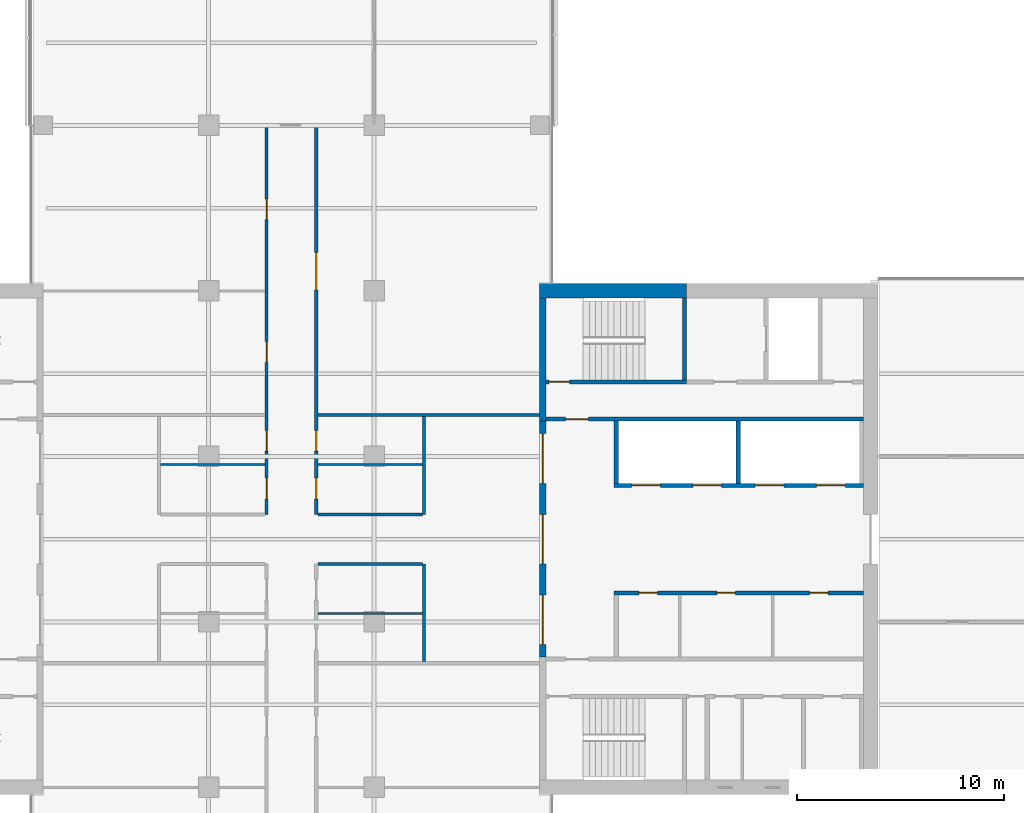
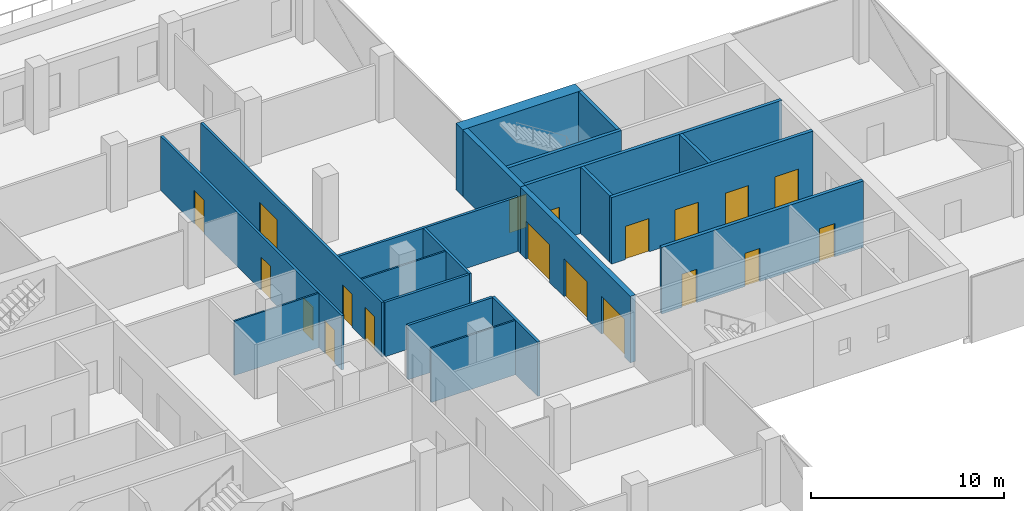
# One storey, part 18 of 24: 20 walls, 19 doors, 19 openings.
"""IFC4 building model written with IfcOpenShell, lengths in metres."""

import ifcopenshell
import ifcopenshell.guid

model = None  # the IFC model being written
_history = None  # IfcOwnerHistory: only IFC2X3 demands one
_inside = {}  # id of a spatial element -> (the spatial element, [elements in it])
_under = {}  # id of a project, library or spatial element -> (it, [spatial elements below it])
_declared = {}  # id of a project -> (the project, [libraries it declares])
_typed = {}  # id of a type object -> (the type object, [elements of that type])
_made_of = {}  # id of a material, layer set ... -> (it, [elements and type objects made of it])


def new_model(schema):
    """Start an empty IFC model of exactly this schema.

    Asked for "IFC4X3", IfcOpenShell would pick the latest addendum, in which some entities
    have other attributes; the version numbers below select the first issue.
    IFC2X3 requires an IfcOwnerHistory on every rooted entity: one is made here for all.
    """
    global model, _history
    if schema == "IFC4X3":
        model = ifcopenshell.file(schema_version=(4, 3, 0, 0))
    else:
        model = ifcopenshell.file(schema=schema)
    _inside.clear()
    _under.clear()
    _declared.clear()
    _typed.clear()
    _made_of.clear()
    _history = None
    if model.schema == "IFC2X3":
        org = make("IfcOrganization", Name="unknown")
        user = make(
            "IfcPersonAndOrganization",
            ThePerson=make("IfcPerson", FamilyName="unknown"),
            TheOrganization=org,
        )
        app = make(
            "IfcApplication",
            ApplicationDeveloper=org,
            Version="unknown",
            ApplicationFullName="unknown",
            ApplicationIdentifier="unknown",
        )
        _history = make(
            "IfcOwnerHistory",
            OwningUser=user,
            OwningApplication=app,
            ChangeAction="ADDED",
            CreationDate=0,
        )
    return model


def make(cls, **values):
    """One entity of the class cls with the attributes given. An attribute that is None is left unset."""
    return model.create_entity(
        cls, **{name: value for name, value in values.items() if value is not None}
    )


def rooted(cls, **values):
    """An entity with a GlobalId (a new one), such as an element, a storey or a relation."""
    return make(cls, GlobalId=ifcopenshell.guid.new(), OwnerHistory=_history, **values)


def si_unit(unit_type, name, prefix=None):
    """IfcSIUnit, for example si_unit("LENGTHUNIT", "METRE", prefix="MILLI")."""
    return make("IfcSIUnit", UnitType=unit_type, Prefix=prefix, Name=name)


def assignment(units):
    """IfcUnitAssignment: the units of a project."""
    return None if units is None else make("IfcUnitAssignment", Units=units)


def point(xyz):
    """IfcCartesianPoint."""
    return None if xyz is None else make("IfcCartesianPoint", Coordinates=xyz)


def direction(xyz):
    """IfcDirection."""
    return None if xyz is None else make("IfcDirection", DirectionRatios=xyz)


def frame(location, z_axis=None, x_axis=None):
    """IfcAxis2Placement3D, a coordinate frame: its origin and axes. An axis left out is left unset."""
    return make(
        "IfcAxis2Placement3D",
        Location=point(location),
        Axis=direction(z_axis),
        RefDirection=direction(x_axis),
    )


def frame_2d(location, x_axis=None):
    """IfcAxis2Placement2D, a coordinate frame in the plane: its origin and x axis."""
    return make(
        "IfcAxis2Placement2D", Location=point(location), RefDirection=direction(x_axis)
    )


def origin():
    """The frame at (0, 0, 0) with its axes left unset."""
    return frame((0.0, 0.0, 0.0))


def place(relative_to, where):
    """IfcLocalPlacement: puts the frame where relative to a parent placement (None: the world)."""
    return make(
        "IfcLocalPlacement", PlacementRelTo=relative_to, RelativePlacement=where
    )


def context(
    kind, dimensions, precision=None, world=None, true_north=None, identifier=None
):
    """IfcGeometricRepresentationContext, for example the 3D "Model" context."""
    return make(
        "IfcGeometricRepresentationContext",
        ContextIdentifier=identifier,
        ContextType=kind,
        CoordinateSpaceDimension=dimensions,
        Precision=precision,
        WorldCoordinateSystem=world,
        TrueNorth=true_north,
    )


def subcontext(parent, identifier, kind, view, scale=None):
    """IfcGeometricRepresentationSubContext, for example "Body" below "Model"."""
    return make(
        "IfcGeometricRepresentationSubContext",
        ContextIdentifier=identifier,
        ContextType=kind,
        ParentContext=parent,
        TargetScale=scale,
        TargetView=view,
    )


def project(units=None, contexts=None):
    """IfcProject with its units and contexts."""
    return rooted(
        "IfcProject",
        Name="project",
        RepresentationContexts=contexts,
        UnitsInContext=assignment(units),
    )


def spatial(cls, under=None, at=None, **own):
    """A site, building, storey or space (cls), placed at a placement, below another one or the project."""
    s = rooted(cls, ObjectPlacement=at, **own)
    if under is not None:
        _under.setdefault(under.id(), (under, []))[1].append(s)
    return s


def profile(cls, at=None, kind="AREA", **sizes):
    """A parametric profile (cls). Its sizes go by their IFC names, for example OverallWidth=200.0."""
    return make(cls, ProfileType=kind, Position=at, **sizes)


def rectangle(**sizes):
    """IfcRectangleProfileDef."""
    return profile("IfcRectangleProfileDef", **sizes)


def extrude(swept, where, along, depth):
    """IfcExtrudedAreaSolid: the profile swept, set in the frame where, extruded along a direction by depth."""
    return make(
        "IfcExtrudedAreaSolid",
        SweptArea=swept,
        Position=where,
        ExtrudedDirection=direction(along),
        Depth=depth,
    )


def shape(context_of_items, identifier, shape_type, items):
    """IfcShapeRepresentation: the items that make up one representation, for example the "Body"."""
    return make(
        "IfcShapeRepresentation",
        ContextOfItems=context_of_items,
        RepresentationIdentifier=identifier,
        RepresentationType=shape_type,
        Items=items,
    )


def material(Name=None, Category=None):
    """IfcMaterial."""
    return make("IfcMaterial", Name=Name, Category=Category)


def layer(
    of_material, thickness, ventilated=None, Name=None, Category=None, Priority=None
):
    """IfcMaterialLayer: one layer of a wall or slab, of a material (None: an air gap)."""
    return make(
        "IfcMaterialLayer",
        Material=of_material,
        LayerThickness=thickness,
        IsVentilated=ventilated,
        Name=Name,
        Category=Category,
        Priority=Priority,
    )


def layer_set(layers, Name=None):
    """IfcMaterialLayerSet."""
    return make("IfcMaterialLayerSet", MaterialLayers=layers, LayerSetName=Name)


def constituent(of_material, Name=None, Category=None, fraction=None):
    """IfcMaterialConstituent: one of the materials an element consists of."""
    return make(
        "IfcMaterialConstituent",
        Name=Name,
        Material=of_material,
        Fraction=fraction,
        Category=Category,
    )


def constituent_set(constituents=None, Name=None):
    """IfcMaterialConstituentSet."""
    return make(
        "IfcMaterialConstituentSet", Name=Name, MaterialConstituents=constituents
    )


def made_of(thing, what):
    """Note that an element or type object is made of a material, layer set ...; save() writes the relation."""
    if what is not None:
        _made_of.setdefault(what.id(), (what, []))[1].append(thing)
    return thing


def type_object(cls, material=None, **own):
    """A type object (cls), such as IfcWallType, which elements share."""
    return made_of(rooted(cls, **own), material)


def element(
    cls,
    number,
    at=None,
    inside=None,
    cuts=None,
    type_object=None,
    material=None,
    context=None,
    identifier="Body",
    shape_type=None,
    held_by="IfcProductDefinitionShape",
    body=None,
    shapes=None,
    **own,
):
    """One element of the class cls, such as IfcWall. Its Tag is "e" and its number.

    at: its placement. inside: the storey or other place that contains it. cuts: it is an
    opening in that element (IfcRelVoidsElement). A single representation is given by context,
    identifier, shape_type and body (its items); several are given by shapes. held_by: the class
    of the entity that holds the representations. save() writes the other relations.
    """
    e = rooted(cls, Tag="e%d" % number, ObjectPlacement=at, **own)
    if body is not None:
        shapes = [shape(context, identifier, shape_type, body)]
    if shapes is not None:
        e.Representation = make(held_by, Representations=shapes)
    if inside is not None:
        _inside.setdefault(inside.id(), (inside, []))[1].append(e)
    if cuts is not None:
        rooted(
            "IfcRelVoidsElement", RelatingBuildingElement=cuts, RelatedOpeningElement=e
        )
    if type_object is not None:
        _typed.setdefault(type_object.id(), (type_object, []))[1].append(e)
    return made_of(e, material)


def fill(opening, filler):
    """IfcRelFillsElement: the door or window that sits in an opening."""
    return rooted(
        "IfcRelFillsElement",
        RelatingOpeningElement=opening,
        RelatedBuildingElement=filler,
    )


def aggregate(whole, parts):
    """IfcRelAggregates: a whole, such as a stair, and the parts it consists of."""
    return rooted("IfcRelAggregates", RelatingObject=whole, RelatedObjects=parts)


def save(model, path):
    """Write the relations noted so far, then the file.

    IfcRelAggregates (storeys below a building ...), IfcRelContainedInSpatialStructure (elements
    in a storey), IfcRelDefinesByType, IfcRelAssociatesMaterial and IfcRelDeclares: one each for
    every whole, place, type object, material and project.
    """
    for whole, parts in _under.values():
        aggregate(whole, parts)
    for where, things in _inside.values():
        rooted(
            "IfcRelContainedInSpatialStructure",
            RelatedElements=things,
            RelatingStructure=where,
        )
    for kind, things in _typed.values():
        rooted("IfcRelDefinesByType", RelatedObjects=things, RelatingType=kind)
    for what, things in _made_of.values():
        rooted("IfcRelAssociatesMaterial", RelatedObjects=things, RelatingMaterial=what)
    for by, libraries in _declared.values():
        rooted("IfcRelDeclares", RelatingContext=by, RelatedDefinitions=libraries)
    model.write(path)


model = new_model("IFC4")

# Units and contexts
model_context = context("Model", 3, precision=1e-05, world=origin(), true_north=direction((0.0, 1.0)))
body_context = subcontext(model_context, "Body", "Model", "MODEL_VIEW")
ifc_project = project(units=[si_unit("LENGTHUNIT", "METRE"), si_unit("AREAUNIT", "SQUARE_METRE"), si_unit("VOLUMEUNIT", "CUBIC_METRE"), si_unit("PLANEANGLEUNIT", "RADIAN"), si_unit("MASSUNIT", "GRAM", prefix="KILO")], contexts=[model_context])

# Site, building, storey
site_placement = place(None, origin())
site = spatial("IfcSite", under=ifc_project, at=site_placement, CompositionType="ELEMENT")
building_placement = place(site_placement, origin())
building = spatial("IfcBuilding", under=site, at=building_placement, Name="Crosswind Convention Tower", CompositionType="ELEMENT")
storey_placement = place(building_placement, frame((0.0, 0.0, 112.699951171875)))
storey = spatial("IfcBuildingStorey", under=building, at=storey_placement, Name="L22", CompositionType="ELEMENT", Elevation=112.699951171875)

# Wall, openings, doors
ifc_material_1 = material(Name="Concrete C50/60", Category="concrete")
ifc_layer_1 = layer(ifc_material_1, 0.300048828125)
ifc_layer_set_1 = layer_set([ifc_layer_1], Name="Concrete C50/60")
wall_type_1 = type_object("IfcWallType", Name="Concrete inner core wall 300", PredefinedType="SHEAR", material=ifc_layer_set_1)
wall_1_placement = place(storey_placement, frame((137.14990234375, 94.300048828125, 0.0), z_axis=(0.0, 0.0, 1.0), x_axis=(0.0, 1.0, 0.0)))
wall_1 = element("IfcWall", 1, at=wall_1_placement, inside=storey, type_object=wall_type_1, Name="Wall SCR E L22", PredefinedType="SHEAR", context=body_context, shape_type="SweptSolid", body=[
    extrude(rectangle(XDim=11.39990234375, YDim=0.300048828125, at=frame_2d((5.699951171875, 0.0))), origin(), (0.0, 0.0, 1.0), 4.199951171875),
])
opening_1_placement = place(wall_1_placement, frame((0.60009765625, 0.0, 0.0)))
opening_1 = element("IfcOpeningElement", 2, at=opening_1_placement, cuts=wall_1, Name="Opening D100", PredefinedType="OPENING", context=body_context, shape_type="SweptSolid", body=[
    extrude(rectangle(XDim=2.39990234375, YDim=2.39990234375, at=frame_2d((1.199951171875, 1.199951171875))), frame((0.0, 0.159912109375, 0.0), z_axis=(0.0, -1.0, 0.0), x_axis=(1.0, 0.0, 0.0)), (0.0, 0.0, 1.0), 0.320068359375),
])
opening_2_placement = place(wall_1_placement, frame((4.5, 0.0, 0.0)))
opening_2 = element("IfcOpeningElement", 3, at=opening_2_placement, cuts=wall_1, Name="Opening D100", PredefinedType="OPENING", context=body_context, shape_type="SweptSolid", body=[
    extrude(rectangle(XDim=2.39990234375, YDim=2.39990234375, at=frame_2d((1.199951171875, 1.199951171875))), frame((0.0, 0.159912109375, 0.0), z_axis=(0.0, -1.0, 0.0), x_axis=(1.0, 0.0, 0.0)), (0.0, 0.0, 1.0), 0.320068359375),
])
opening_3_placement = place(wall_1_placement, frame((8.39990234375, 0.0, 0.0)))
opening_3 = element("IfcOpeningElement", 4, at=opening_3_placement, cuts=wall_1, Name="Opening D100", PredefinedType="OPENING", context=body_context, shape_type="SweptSolid", body=[
    extrude(rectangle(XDim=2.39990234375, YDim=2.39990234375, at=frame_2d((1.199951171875, 1.199951171875))), frame((0.0, 0.159912109375, 0.0), z_axis=(0.0, -1.0, 0.0), x_axis=(1.0, 0.0, 0.0)), (0.0, 0.0, 1.0), 0.320068359375),
])
ifc_material_2 = material(Name="Steel fire door with glazed vision panels", Category="steel")
door_type_1 = type_object("IfcDoorType", Name="Fire-rated double door 2400x2400", OperationType="DOUBLE_DOOR_SINGLE_SWING", PredefinedType="DOOR", material=ifc_material_2)
door_1_placement = place(opening_1_placement, origin())
door_1 = element("IfcDoor", 5, at=door_1_placement, inside=storey, type_object=door_type_1, Name="Lobby door 1 L22", ObjectType="D100", OperationType="DOUBLE_DOOR_SINGLE_SWING", OverallHeight=2.39990234375, OverallWidth=2.39990234375, PredefinedType="DOOR", context=body_context, shape_type="SweptSolid", body=[
    extrude(rectangle(XDim=2.39990234375, YDim=2.39990234375, at=frame_2d((1.199951171875, 1.199951171875))), frame((0.0, 0.02490234375, 0.0), z_axis=(0.0, -1.0, 0.0), x_axis=(1.0, 0.0, 0.0)), (0.0, 0.0, 1.0), 0.050048828125),
])
fill(opening_1, door_1)
door_2_placement = place(opening_2_placement, origin())
door_2 = element("IfcDoor", 6, at=door_2_placement, inside=storey, type_object=door_type_1, Name="Lobby door 2 L22", ObjectType="D100", OperationType="DOUBLE_DOOR_SINGLE_SWING", OverallHeight=2.39990234375, OverallWidth=2.39990234375, PredefinedType="DOOR", context=body_context, shape_type="SweptSolid", body=[
    extrude(rectangle(XDim=2.39990234375, YDim=2.39990234375, at=frame_2d((1.199951171875, 1.199951171875))), frame((0.0, 0.02490234375, 0.0), z_axis=(0.0, -1.0, 0.0), x_axis=(1.0, 0.0, 0.0)), (0.0, 0.0, 1.0), 0.050048828125),
])
fill(opening_2, door_2)
door_3_placement = place(opening_3_placement, origin())
door_3 = element("IfcDoor", 7, at=door_3_placement, inside=storey, type_object=door_type_1, Name="Lobby door 3 L22", ObjectType="D100", OperationType="DOUBLE_DOOR_SINGLE_SWING", OverallHeight=2.39990234375, OverallWidth=2.39990234375, PredefinedType="DOOR", context=body_context, shape_type="SweptSolid", body=[
    extrude(rectangle(XDim=2.39990234375, YDim=2.39990234375, at=frame_2d((1.199951171875, 1.199951171875))), frame((0.0, 0.02490234375, 0.0), z_axis=(0.0, -1.0, 0.0), x_axis=(1.0, 0.0, 0.0)), (0.0, 0.0, 1.0), 0.050048828125),
])
fill(opening_3, door_3)

# Walls
wall_2_placement = place(storey_placement, frame((137.14990234375, 105.699951171875, 0.0), z_axis=(0.0, 0.0, 1.0), x_axis=(0.0, 1.0, 0.0)))
element("IfcWall", 8, at=wall_2_placement, inside=storey, type_object=wall_type_1, Name="Wall EP E L22", PredefinedType="SHEAR", context=body_context, shape_type="SweptSolid", body=[
    extrude(rectangle(XDim=5.949951171875, YDim=0.300048828125, at=frame_2d((2.97509765625, 0.0))), origin(), (0.0, 0.0, 1.0), 4.199951171875),
])
ifc_layer_2 = layer(ifc_material_1, 0.199951171875)
ifc_layer_set_2 = layer_set([ifc_layer_2], Name="Concrete C50/60")
wall_type_2 = type_object("IfcWallType", Name="Concrete shaft and stair wall 200", PredefinedType="SHEAR", material=ifc_layer_set_2)
for number, where, z_axis, x_axis, name in (
    (9, (140.699951171875, 102.699951171875, 0.0), (0.0, 0.0, 1.0), (0.0, 1.0, 0.0), "Wall RPEND E L22"),
    (10, (146.60009765625, 102.699951171875, 0.0), (0.0, 0.0, 1.0), (0.0, 1.0, 0.0), "Wall RPSEP E L22"),
):
    element("IfcWall", number, at=place(storey_placement, frame(where, z_axis=z_axis, x_axis=x_axis)), inside=storey, type_object=wall_type_2, Name=name, PredefinedType="SHEAR", context=body_context, shape_type="SweptSolid", body=[
        extrude(rectangle(XDim=3.0, YDim=0.199951171875, at=frame_2d((1.5, 0.0))), origin(), (0.0, 0.0, 1.0), 4.199951171875),
    ])

# Wall, openings, doors
wall_3_placement = place(storey_placement, frame((140.60009765625, 102.60009765625, 0.0), z_axis=(0.0, 0.0, 1.0), x_axis=(1.0, 0.0, 0.0)))
wall_3 = element("IfcWall", 11, at=wall_3_placement, inside=storey, type_object=wall_type_2, Name="Wall RPFRONT E L22", PredefinedType="SHEAR", context=body_context, shape_type="SweptSolid", body=[
    extrude(rectangle(XDim=12.0498046875, YDim=0.199951171875, at=frame_2d((6.02490234375, 0.0))), origin(), (0.0, 0.0, 1.0), 4.199951171875),
])
opening_4_placement = place(wall_3_placement, frame((0.85009765625, 0.0, 0.0)))
opening_4 = element("IfcOpeningElement", 12, at=opening_4_placement, cuts=wall_3, Name="Opening LD2", PredefinedType="OPENING", context=body_context, shape_type="SweptSolid", body=[
    extrude(rectangle(XDim=1.39990234375, YDim=2.10009765625, at=frame_2d((0.699951171875, 1.050048828125))), frame((0.0, 0.10986328125, 0.0), z_axis=(0.0, -1.0, 0.0), x_axis=(1.0, 0.0, 0.0)), (0.0, 0.0, 1.0), 0.219970703125),
])
opening_5_placement = place(wall_3_placement, frame((3.800048828125, 0.0, 0.0)))
opening_5 = element("IfcOpeningElement", 13, at=opening_5_placement, cuts=wall_3, Name="Opening LD2", PredefinedType="OPENING", context=body_context, shape_type="SweptSolid", body=[
    extrude(rectangle(XDim=1.39990234375, YDim=2.10009765625, at=frame_2d((0.699951171875, 1.050048828125))), frame((0.0, 0.10986328125, 0.0), z_axis=(0.0, -1.0, 0.0), x_axis=(1.0, 0.0, 0.0)), (0.0, 0.0, 1.0), 0.219970703125),
])
opening_6_placement = place(wall_3_placement, frame((6.800048828125, 0.0, 0.0)))
opening_6 = element("IfcOpeningElement", 14, at=opening_6_placement, cuts=wall_3, Name="Opening LD2", PredefinedType="OPENING", context=body_context, shape_type="SweptSolid", body=[
    extrude(rectangle(XDim=1.39990234375, YDim=2.10009765625, at=frame_2d((0.699951171875, 1.050048828125))), frame((0.0, 0.10986328125, 0.0), z_axis=(0.0, -1.0, 0.0), x_axis=(1.0, 0.0, 0.0)), (0.0, 0.0, 1.0), 0.219970703125),
])
opening_7_placement = place(wall_3_placement, frame((9.77490234375, 0.0, 0.0)))
opening_7 = element("IfcOpeningElement", 15, at=opening_7_placement, cuts=wall_3, Name="Opening LD2", PredefinedType="OPENING", context=body_context, shape_type="SweptSolid", body=[
    extrude(rectangle(XDim=1.39990234375, YDim=2.10009765625, at=frame_2d((0.699951171875, 1.050048828125))), frame((0.0, 0.10986328125, 0.0), z_axis=(0.0, -1.0, 0.0), x_axis=(1.0, 0.0, 0.0)), (0.0, 0.0, 1.0), 0.219970703125),
])
ifc_material_3 = material(Name="Stainless steel", Category="steel")
door_type_2 = type_object("IfcDoorType", Name="Lift landing door 1400x2100", OperationType="DOUBLE_DOOR_SLIDING", PredefinedType="DOOR", material=ifc_material_3)
door_4_placement = place(opening_4_placement, origin())
door_4 = element("IfcDoor", 16, at=door_4_placement, inside=storey, type_object=door_type_2, Name="Landing door A1 L22", ObjectType="LD2", OperationType="DOUBLE_DOOR_SLIDING", OverallHeight=2.10009765625, OverallWidth=1.39990234375, PredefinedType="DOOR", context=body_context, shape_type="SweptSolid", body=[
    extrude(rectangle(XDim=1.39990234375, YDim=2.10009765625, at=frame_2d((0.699951171875, 1.050048828125))), frame((0.0, 0.02490234375, 0.0), z_axis=(0.0, -1.0, 0.0), x_axis=(1.0, 0.0, 0.0)), (0.0, 0.0, 1.0), 0.050048828125),
])
fill(opening_4, door_4)
door_5_placement = place(opening_5_placement, origin())
door_5 = element("IfcDoor", 17, at=door_5_placement, inside=storey, type_object=door_type_2, Name="Landing door A2 L22", ObjectType="LD2", OperationType="DOUBLE_DOOR_SLIDING", OverallHeight=2.10009765625, OverallWidth=1.39990234375, PredefinedType="DOOR", context=body_context, shape_type="SweptSolid", body=[
    extrude(rectangle(XDim=1.39990234375, YDim=2.10009765625, at=frame_2d((0.699951171875, 1.050048828125))), frame((0.0, 0.02490234375, 0.0), z_axis=(0.0, -1.0, 0.0), x_axis=(1.0, 0.0, 0.0)), (0.0, 0.0, 1.0), 0.050048828125),
])
fill(opening_5, door_5)
door_6_placement = place(opening_6_placement, origin())
door_6 = element("IfcDoor", 18, at=door_6_placement, inside=storey, type_object=door_type_2, Name="Landing door A3 L22", ObjectType="LD2", OperationType="DOUBLE_DOOR_SLIDING", OverallHeight=2.10009765625, OverallWidth=1.39990234375, PredefinedType="DOOR", context=body_context, shape_type="SweptSolid", body=[
    extrude(rectangle(XDim=1.39990234375, YDim=2.10009765625, at=frame_2d((0.699951171875, 1.050048828125))), frame((0.0, 0.02490234375, 0.0), z_axis=(0.0, -1.0, 0.0), x_axis=(1.0, 0.0, 0.0)), (0.0, 0.0, 1.0), 0.050048828125),
])
fill(opening_6, door_6)
door_7_placement = place(opening_7_placement, origin())
door_7 = element("IfcDoor", 19, at=door_7_placement, inside=storey, type_object=door_type_2, Name="Landing door A4 L22", ObjectType="LD2", OperationType="DOUBLE_DOOR_SLIDING", OverallHeight=2.10009765625, OverallWidth=1.39990234375, PredefinedType="DOOR", context=body_context, shape_type="SweptSolid", body=[
    extrude(rectangle(XDim=1.39990234375, YDim=2.10009765625, at=frame_2d((0.699951171875, 1.050048828125))), frame((0.0, 0.02490234375, 0.0), z_axis=(0.0, -1.0, 0.0), x_axis=(1.0, 0.0, 0.0)), (0.0, 0.0, 1.0), 0.050048828125),
])
fill(opening_7, door_7)

wall_4_placement = place(storey_placement, frame((140.60009765625, 97.39990234375, 0.0), z_axis=(0.0, 0.0, 1.0), x_axis=(1.0, 0.0, 0.0)))
wall_4 = element("IfcWall", 20, at=wall_4_placement, inside=storey, type_object=wall_type_2, Name="Wall RMFRONT E L22", PredefinedType="SHEAR", context=body_context, shape_type="SweptSolid", body=[
    extrude(rectangle(XDim=12.0498046875, YDim=0.199951171875, at=frame_2d((6.02490234375, 0.0))), origin(), (0.0, 0.0, 1.0), 4.199951171875),
])
opening_8_placement = place(wall_4_placement, frame((1.199951171875, 0.0, 0.0)))
opening_8 = element("IfcOpeningElement", 21, at=opening_8_placement, cuts=wall_4, Name="Opening D106", PredefinedType="OPENING", context=body_context, shape_type="SweptSolid", body=[
    extrude(rectangle(XDim=0.89990234375, YDim=2.10009765625, at=frame_2d((0.449951171875, 1.050048828125))), frame((0.0, 0.10986328125, 0.0), z_axis=(0.0, -1.0, 0.0), x_axis=(1.0, 0.0, 0.0)), (0.0, 0.0, 1.0), 0.219970703125),
])
opening_9_placement = place(wall_4_placement, frame((4.964111328125, 0.0, 0.0)))
opening_9 = element("IfcOpeningElement", 22, at=opening_9_placement, cuts=wall_4, Name="Opening D106", PredefinedType="OPENING", context=body_context, shape_type="SweptSolid", body=[
    extrude(rectangle(XDim=0.89990234375, YDim=2.10009765625, at=frame_2d((0.449951171875, 1.050048828125))), frame((0.0, 0.10986328125, 0.0), z_axis=(0.0, -1.0, 0.0), x_axis=(1.0, 0.0, 0.0)), (0.0, 0.0, 1.0), 0.219970703125),
])
opening_10_placement = place(wall_4_placement, frame((9.43896484375, 0.0, 0.0)))
opening_10 = element("IfcOpeningElement", 23, at=opening_10_placement, cuts=wall_4, Name="Opening D106", PredefinedType="OPENING", context=body_context, shape_type="SweptSolid", body=[
    extrude(rectangle(XDim=0.89990234375, YDim=2.10009765625, at=frame_2d((0.449951171875, 1.050048828125))), frame((0.0, 0.10986328125, 0.0), z_axis=(0.0, -1.0, 0.0), x_axis=(1.0, 0.0, 0.0)), (0.0, 0.0, 1.0), 0.219970703125),
])
ifc_material_4 = material(Name="Timber door", Category="wood")
door_type_3 = type_object("IfcDoorType", Name="Single leaf door 900x2100", OperationType="NOTDEFINED", PredefinedType="DOOR", material=ifc_material_4)
door_8_placement = place(opening_8_placement, frame((0.89990234375, 0.0, 0.0), z_axis=(0.0, 0.0, 1.0), x_axis=(-1.0, 0.0, 0.0)))
door_8 = element("IfcDoor", 24, at=door_8_placement, inside=storey, type_object=door_type_3, Name="Door to copy and print room L22", ObjectType="D106", OperationType="SINGLE_SWING_LEFT", OverallHeight=2.10009765625, OverallWidth=0.89990234375, PredefinedType="DOOR", context=body_context, shape_type="SweptSolid", body=[
    extrude(rectangle(XDim=0.89990234375, YDim=2.10009765625, at=frame_2d((0.449951171875, 1.050048828125))), frame((0.0, 0.02490234375, 0.0), z_axis=(0.0, -1.0, 0.0), x_axis=(1.0, 0.0, 0.0)), (0.0, 0.0, 1.0), 0.050048828125),
])
fill(opening_8, door_8)
door_9_placement = place(opening_9_placement, frame((0.89990234375, 0.0, 0.0), z_axis=(0.0, 0.0, 1.0), x_axis=(-1.0, 0.0, 0.0)))
door_9 = element("IfcDoor", 25, at=door_9_placement, inside=storey, type_object=door_type_3, Name="Door to meeting room L22", ObjectType="D106", OperationType="SINGLE_SWING_LEFT", OverallHeight=2.10009765625, OverallWidth=0.89990234375, PredefinedType="DOOR", context=body_context, shape_type="SweptSolid", body=[
    extrude(rectangle(XDim=0.89990234375, YDim=2.10009765625, at=frame_2d((0.449951171875, 1.050048828125))), frame((0.0, 0.02490234375, 0.0), z_axis=(0.0, -1.0, 0.0), x_axis=(1.0, 0.0, 0.0)), (0.0, 0.0, 1.0), 0.050048828125),
])
fill(opening_9, door_9)
door_10_placement = place(opening_10_placement, frame((0.89990234375, 0.0, 0.0), z_axis=(0.0, 0.0, 1.0), x_axis=(-1.0, 0.0, 0.0)))
door_10 = element("IfcDoor", 26, at=door_10_placement, inside=storey, type_object=door_type_3, Name="Door to pantry L22", ObjectType="D106", OperationType="SINGLE_SWING_LEFT", OverallHeight=2.10009765625, OverallWidth=0.89990234375, PredefinedType="DOOR", context=body_context, shape_type="SweptSolid", body=[
    extrude(rectangle(XDim=0.89990234375, YDim=2.10009765625, at=frame_2d((0.449951171875, 1.050048828125))), frame((0.0, 0.02490234375, 0.0), z_axis=(0.0, -1.0, 0.0), x_axis=(1.0, 0.0, 0.0)), (0.0, 0.0, 1.0), 0.050048828125),
])
fill(opening_10, door_10)

# Wall, opening, door
wall_5_placement = place(storey_placement, frame((137.300048828125, 105.800048828125, 0.0), z_axis=(0.0, 0.0, 1.0), x_axis=(1.0, 0.0, 0.0)))
wall_5 = element("IfcWall", 27, at=wall_5_placement, inside=storey, type_object=wall_type_2, Name="Wall HP E L22", PredefinedType="SHEAR", context=body_context, shape_type="SweptSolid", body=[
    extrude(rectangle(XDim=15.349853515625, YDim=0.199951171875, at=frame_2d((7.6748046875, 0.0))), origin(), (0.0, 0.0, 1.0), 4.199951171875),
])
opening_11_placement = place(wall_5_placement, frame((0.949951171875, 0.0, 0.0)))
opening_11 = element("IfcOpeningElement", 28, at=opening_11_placement, cuts=wall_5, Name="Opening D104", PredefinedType="OPENING", context=body_context, shape_type="SweptSolid", body=[
    extrude(rectangle(XDim=1.10009765625, YDim=2.10009765625, at=frame_2d((0.550048828125, 1.050048828125))), frame((0.0, 0.10986328125, 0.0), z_axis=(0.0, -1.0, 0.0), x_axis=(1.0, 0.0, 0.0)), (0.0, 0.0, 1.0), 0.219970703125),
])
ifc_material_5 = material(Name="Steel fire door", Category="steel")
door_type_4 = type_object("IfcDoorType", Name="Fire-rated single door 1100x2100", OperationType="NOTDEFINED", PredefinedType="DOOR", material=ifc_material_5)
door_11_placement = place(opening_11_placement, origin())
door_11 = element("IfcDoor", 29, at=door_11_placement, inside=storey, type_object=door_type_4, Name="Corridor door L22", ObjectType="D104", OperationType="SINGLE_SWING_LEFT", OverallHeight=2.10009765625, OverallWidth=1.10009765625, PredefinedType="DOOR", context=body_context, shape_type="SweptSolid", body=[
    extrude(rectangle(XDim=1.10009765625, YDim=2.10009765625, at=frame_2d((0.550048828125, 1.050048828125))), frame((0.0, 0.02490234375, 0.0), z_axis=(0.0, -1.0, 0.0), x_axis=(1.0, 0.0, 0.0)), (0.0, 0.0, 1.0), 0.050048828125),
])
fill(opening_11, door_11)

# Wall
wall_6_placement = place(storey_placement, frame((144.0, 107.699951171875, 0.0), z_axis=(0.0, 0.0, 1.0), x_axis=(0.0, 1.0, 0.0)))
element("IfcWall", 30, at=wall_6_placement, inside=storey, type_object=wall_type_2, Name="Wall PSE E L22", PredefinedType="SHEAR", context=body_context, shape_type="SweptSolid", body=[
    extrude(rectangle(XDim=3.949951171875, YDim=0.199951171875, at=frame_2d((1.97509765625, 0.0))), origin(), (0.0, 0.0, 1.0), 4.199951171875),
])

# Wall, opening, door
wall_7_placement = place(storey_placement, frame((137.300048828125, 107.60009765625, 0.0), z_axis=(0.0, 0.0, 1.0), x_axis=(1.0, 0.0, 0.0)))
wall_7 = element("IfcWall", 31, at=wall_7_placement, inside=storey, type_object=wall_type_2, Name="Wall PCW E L22", PredefinedType="SHEAR", context=body_context, shape_type="SweptSolid", body=[
    extrude(rectangle(XDim=6.800048828125, YDim=0.199951171875, at=frame_2d((3.39990234375, 0.0))), origin(), (0.0, 0.0, 1.0), 4.199951171875),
])
opening_12_placement = place(wall_7_placement, frame((0.14990234375, 0.0, 0.0)))
opening_12 = element("IfcOpeningElement", 32, at=opening_12_placement, cuts=wall_7, Name="Opening D103", PredefinedType="OPENING", context=body_context, shape_type="SweptSolid", body=[
    extrude(rectangle(XDim=1.0, YDim=2.10009765625, at=frame_2d((0.5, 1.050048828125))), frame((0.0, 0.10986328125, 0.0), z_axis=(0.0, -1.0, 0.0), x_axis=(1.0, 0.0, 0.0)), (0.0, 0.0, 1.0), 0.219970703125),
])
door_type_5 = type_object("IfcDoorType", Name="Fire-rated single door 1000x2100", OperationType="NOTDEFINED", PredefinedType="DOOR", material=ifc_material_5)
door_12_placement = place(opening_12_placement, origin())
door_12 = element("IfcDoor", 33, at=door_12_placement, inside=storey, type_object=door_type_5, Name="Stair ST1 door L22", ObjectType="D103", OperationType="SINGLE_SWING_LEFT", OverallHeight=2.10009765625, OverallWidth=1.0, PredefinedType="DOOR", context=body_context, shape_type="SweptSolid", body=[
    extrude(rectangle(XDim=1.0, YDim=2.10009765625, at=frame_2d((0.5, 1.050048828125))), frame((0.0, 0.02490234375, 0.0), z_axis=(0.0, -1.0, 0.0), x_axis=(1.0, 0.0, 0.0)), (0.0, 0.0, 1.0), 0.050048828125),
])
fill(opening_12, door_12)

# Walls
ifc_material_6 = material(Name="Plasterboard partition", Category="gypsum")
ifc_layer_3 = layer(ifc_material_6, 0.10009765625)
ifc_layer_set_3 = layer_set([ifc_layer_3], Name="PARTITION 100 METAL STUD")
wall_type_3 = type_object("IfcWallType", Name="PARTITION 100 METAL STUD", PredefinedType="PARTITIONING", material=ifc_layer_set_3)
for number, where, z_axis, x_axis, name in (
    (34, (126.27490234375, 96.39990234375, 0.0), (0.0, 0.0, 1.0), (1.0, 0.0, 0.0), "Partition wall WT40"),
    (35, (118.675048828125, 103.60009765625, 0.0), (0.0, 0.0, 1.0), (1.0, 0.0, 0.0), "Partition wall WT40"),
    (36, (126.27490234375, 103.60009765625, 0.0), (0.0, 0.0, 1.0), (1.0, 0.0, 0.0), "Partition wall WT40"),
):
    element("IfcWall", number, at=place(storey_placement, frame(where, z_axis=z_axis, x_axis=x_axis)), inside=storey, type_object=wall_type_3, Name=name, PredefinedType="PARTITIONING", context=body_context, shape_type="SweptSolid", body=[
        extrude(rectangle(XDim=5.050048828125, YDim=0.10009765625, at=frame_2d((2.52490234375, 0.0))), origin(), (0.0, 0.0, 1.0), 3.4365234375),
    ])

# Wall, openings, doors
ifc_material_7 = material(Name="Fire-board partition with mineral wool", Category="gypsum")
ifc_layer_4 = layer(ifc_material_7, 0.14990234375)
ifc_layer_set_4 = layer_set([ifc_layer_4], Name="TENANCY WALL 150 TWO-HOUR BOARD")
wall_type_4 = type_object("IfcWallType", Name="TENANCY WALL 150 TWO-HOUR BOARD", PredefinedType="PARTITIONING", material=ifc_layer_set_4)
wall_8_placement = place(storey_placement, frame((123.800048828125, 101.199951171875, 0.0), z_axis=(0.0, 0.0, 1.0), x_axis=(0.0, 1.0, 0.0)))
wall_8 = element("IfcWall", 37, at=wall_8_placement, inside=storey, type_object=wall_type_4, Name="Tenancy wall WT41", PredefinedType="PARTITIONING", context=body_context, shape_type="SweptSolid", body=[
    extrude(rectangle(XDim=18.72509765625, YDim=0.14990234375, at=frame_2d((9.362548828125, 0.0))), origin(), (0.0, 0.0, 1.0), 3.4365234375),
])
opening_13_placement = place(wall_8_placement, frame((0.75, 0.0, 0.0)))
opening_13 = element("IfcOpeningElement", 38, at=opening_13_placement, cuts=wall_8, Name="Opening L22-57", PredefinedType="OPENING", context=body_context, shape_type="SweptSolid", body=[
    extrude(rectangle(XDim=1.0, YDim=2.10009765625, at=frame_2d((0.5, 1.050048828125))), frame((0.0, 0.0849609375, 0.0), z_axis=(0.0, -1.0, 0.0), x_axis=(1.0, 0.0, 0.0)), (0.0, 0.0, 1.0), 0.169921875),
])
opening_14_placement = place(wall_8_placement, frame((3.050048828125, 0.0, 0.0)))
opening_14 = element("IfcOpeningElement", 39, at=opening_14_placement, cuts=wall_8, Name="Opening L22-58", PredefinedType="OPENING", context=body_context, shape_type="SweptSolid", body=[
    extrude(rectangle(XDim=1.0, YDim=2.10009765625, at=frame_2d((0.5, 1.050048828125))), frame((0.0, 0.0849609375, 0.0), z_axis=(0.0, -1.0, 0.0), x_axis=(1.0, 0.0, 0.0)), (0.0, 0.0, 1.0), 0.169921875),
])
opening_15_placement = place(wall_8_placement, frame((7.35009765625, 0.0, 0.0)))
opening_15 = element("IfcOpeningElement", 40, at=opening_15_placement, cuts=wall_8, Name="Opening L22-59", PredefinedType="OPENING", context=body_context, shape_type="SweptSolid", body=[
    extrude(rectangle(XDim=1.0, YDim=2.10009765625, at=frame_2d((0.5, 1.050048828125))), frame((0.0, 0.0849609375, 0.0), z_axis=(0.0, -1.0, 0.0), x_axis=(1.0, 0.0, 0.0)), (0.0, 0.0, 1.0), 0.169921875),
])
opening_16_placement = place(wall_8_placement, frame((14.25, 0.0, 0.0)))
opening_16 = element("IfcOpeningElement", 41, at=opening_16_placement, cuts=wall_8, Name="Opening L22-60", PredefinedType="OPENING", context=body_context, shape_type="SweptSolid", body=[
    extrude(rectangle(XDim=1.0, YDim=2.10009765625, at=frame_2d((0.5, 1.050048828125))), frame((0.0, 0.0849609375, 0.0), z_axis=(0.0, -1.0, 0.0), x_axis=(1.0, 0.0, 0.0)), (0.0, 0.0, 1.0), 0.169921875),
])
ifc_material_8 = material(Name="Timber fire door", Category="wood")
door_type_6 = type_object("IfcDoorType", Name="TENANCY ENTRANCE DOOR 1000X2100 FD30S", OperationType="NOTDEFINED", PredefinedType="DOOR", material=ifc_material_8)
door_13_placement = place(opening_13_placement, origin())
door_13 = element("IfcDoor", 42, at=door_13_placement, inside=storey, type_object=door_type_6, Name="Door L22-57", ObjectType="D41", OperationType="SINGLE_SWING_RIGHT", OverallHeight=2.10009765625, OverallWidth=1.0, PredefinedType="DOOR", context=body_context, shape_type="SweptSolid", body=[
    extrude(rectangle(XDim=1.0, YDim=2.10009765625, at=frame_2d((0.5, 1.050048828125))), frame((0.0, 0.02490234375, 0.0), z_axis=(0.0, -1.0, 0.0), x_axis=(1.0, 0.0, 0.0)), (0.0, 0.0, 1.0), 0.050048828125),
])
fill(opening_13, door_13)
door_14_placement = place(opening_14_placement, origin())
door_14 = element("IfcDoor", 43, at=door_14_placement, inside=storey, type_object=door_type_6, Name="Door L22-58", ObjectType="D41", OperationType="SINGLE_SWING_LEFT", OverallHeight=2.10009765625, OverallWidth=1.0, PredefinedType="DOOR", context=body_context, shape_type="SweptSolid", body=[
    extrude(rectangle(XDim=1.0, YDim=2.10009765625, at=frame_2d((0.5, 1.050048828125))), frame((0.0, 0.02490234375, 0.0), z_axis=(0.0, -1.0, 0.0), x_axis=(1.0, 0.0, 0.0)), (0.0, 0.0, 1.0), 0.050048828125),
])
fill(opening_14, door_14)
door_15_placement = place(opening_15_placement, frame((1.0, 0.0, 0.0), z_axis=(0.0, 0.0, 1.0), x_axis=(-1.0, 0.0, 0.0)))
door_15 = element("IfcDoor", 44, at=door_15_placement, inside=storey, type_object=door_type_6, Name="Door L22-59", ObjectType="D41", OperationType="SINGLE_SWING_LEFT", OverallHeight=2.10009765625, OverallWidth=1.0, PredefinedType="DOOR", context=body_context, shape_type="SweptSolid", body=[
    extrude(rectangle(XDim=1.0, YDim=2.10009765625, at=frame_2d((0.5, 1.050048828125))), frame((0.0, 0.02490234375, 0.0), z_axis=(0.0, -1.0, 0.0), x_axis=(1.0, 0.0, 0.0)), (0.0, 0.0, 1.0), 0.050048828125),
])
fill(opening_15, door_15)
door_16_placement = place(opening_16_placement, origin())
door_16 = element("IfcDoor", 45, at=door_16_placement, inside=storey, type_object=door_type_6, Name="Door L22-60", ObjectType="D41", OperationType="SINGLE_SWING_LEFT", OverallHeight=2.10009765625, OverallWidth=1.0, PredefinedType="DOOR", context=body_context, shape_type="SweptSolid", body=[
    extrude(rectangle(XDim=1.0, YDim=2.10009765625, at=frame_2d((0.5, 1.050048828125))), frame((0.0, 0.02490234375, 0.0), z_axis=(0.0, -1.0, 0.0), x_axis=(1.0, 0.0, 0.0)), (0.0, 0.0, 1.0), 0.050048828125),
])
fill(opening_16, door_16)

wall_9_placement = place(storey_placement, frame((126.199951171875, 101.199951171875, 0.0), z_axis=(0.0, 0.0, 1.0), x_axis=(0.0, 1.0, 0.0)))
wall_9 = element("IfcWall", 46, at=wall_9_placement, inside=storey, type_object=wall_type_4, Name="Tenancy wall WT41", PredefinedType="PARTITIONING", context=body_context, shape_type="SweptSolid", body=[
    extrude(rectangle(XDim=18.72509765625, YDim=0.14990234375, at=frame_2d((9.362548828125, 0.0))), origin(), (0.0, 0.0, 1.0), 3.4365234375),
])
opening_17_placement = place(wall_9_placement, frame((0.75, 0.0, 0.0)))
opening_17 = element("IfcOpeningElement", 47, at=opening_17_placement, cuts=wall_9, Name="Opening L22-50", PredefinedType="OPENING", context=body_context, shape_type="SweptSolid", body=[
    extrude(rectangle(XDim=1.0, YDim=2.10009765625, at=frame_2d((0.5, 1.050048828125))), frame((0.0, 0.0849609375, 0.0), z_axis=(0.0, -1.0, 0.0), x_axis=(1.0, 0.0, 0.0)), (0.0, 0.0, 1.0), 0.169921875),
])
opening_18_placement = place(wall_9_placement, frame((3.050048828125, 0.0, 0.0)))
opening_18 = element("IfcOpeningElement", 48, at=opening_18_placement, cuts=wall_9, Name="Opening L22-51", PredefinedType="OPENING", context=body_context, shape_type="SweptSolid", body=[
    extrude(rectangle(XDim=1.0, YDim=2.10009765625, at=frame_2d((0.5, 1.050048828125))), frame((0.0, 0.0849609375, 0.0), z_axis=(0.0, -1.0, 0.0), x_axis=(1.0, 0.0, 0.0)), (0.0, 0.0, 1.0), 0.169921875),
])
opening_19_placement = place(wall_9_placement, frame((10.85009765625, 0.0, 0.0)))
opening_19 = element("IfcOpeningElement", 49, at=opening_19_placement, cuts=wall_9, Name="Opening L22-52", PredefinedType="OPENING", context=body_context, shape_type="SweptSolid", body=[
    extrude(rectangle(XDim=1.800048828125, YDim=2.10009765625, at=frame_2d((0.89990234375, 1.050048828125))), frame((0.0, 0.0849609375, 0.0), z_axis=(0.0, -1.0, 0.0), x_axis=(1.0, 0.0, 0.0)), (0.0, 0.0, 1.0), 0.169921875),
])
door_17_placement = place(opening_17_placement, frame((1.0, 0.0, 0.0), z_axis=(0.0, 0.0, 1.0), x_axis=(-1.0, 0.0, 0.0)))
door_17 = element("IfcDoor", 50, at=door_17_placement, inside=storey, type_object=door_type_6, Name="Door L22-50", ObjectType="D41", OperationType="SINGLE_SWING_LEFT", OverallHeight=2.10009765625, OverallWidth=1.0, PredefinedType="DOOR", context=body_context, shape_type="SweptSolid", body=[
    extrude(rectangle(XDim=1.0, YDim=2.10009765625, at=frame_2d((0.5, 1.050048828125))), frame((0.0, 0.02490234375, 0.0), z_axis=(0.0, -1.0, 0.0), x_axis=(1.0, 0.0, 0.0)), (0.0, 0.0, 1.0), 0.050048828125),
])
fill(opening_17, door_17)
door_18_placement = place(opening_18_placement, frame((1.0, 0.0, 0.0), z_axis=(0.0, 0.0, 1.0), x_axis=(-1.0, 0.0, 0.0)))
door_18 = element("IfcDoor", 51, at=door_18_placement, inside=storey, type_object=door_type_6, Name="Door L22-51", ObjectType="D41", OperationType="SINGLE_SWING_RIGHT", OverallHeight=2.10009765625, OverallWidth=1.0, PredefinedType="DOOR", context=body_context, shape_type="SweptSolid", body=[
    extrude(rectangle(XDim=1.0, YDim=2.10009765625, at=frame_2d((0.5, 1.050048828125))), frame((0.0, 0.02490234375, 0.0), z_axis=(0.0, -1.0, 0.0), x_axis=(1.0, 0.0, 0.0)), (0.0, 0.0, 1.0), 0.050048828125),
])
fill(opening_18, door_18)
door_type_7 = type_object("IfcDoorType", Name="TENANCY ENTRANCE DOUBLE DOOR 1800X2100 FD30S", OperationType="DOUBLE_DOOR_SINGLE_SWING", PredefinedType="DOOR", material=ifc_material_8)
door_19_placement = place(opening_19_placement, frame((1.800048828125, 0.0, 0.0), z_axis=(0.0, 0.0, 1.0), x_axis=(-1.0, 0.0, 0.0)))
door_19 = element("IfcDoor", 52, at=door_19_placement, inside=storey, type_object=door_type_7, Name="Door L22-52", ObjectType="D42", OperationType="DOUBLE_DOOR_SINGLE_SWING", OverallHeight=2.10009765625, OverallWidth=1.800048828125, PredefinedType="DOOR", context=body_context, shape_type="SweptSolid", body=[
    extrude(rectangle(XDim=1.800048828125, YDim=2.10009765625, at=frame_2d((0.89990234375, 1.050048828125))), frame((0.0, 0.02490234375, 0.0), z_axis=(0.0, -1.0, 0.0), x_axis=(1.0, 0.0, 0.0)), (0.0, 0.0, 1.0), 0.050048828125),
])
fill(opening_19, door_19)

# Walls
for number, where, z_axis, x_axis, name in (
    (53, (131.39990234375, 94.074951171875, 0.0), (0.0, 0.0, 1.0), (0.0, 1.0, 0.0), "Tenancy wall WT41"),
    (54, (131.39990234375, 101.199951171875, 0.0), (0.0, 0.0, 1.0), (0.0, 1.0, 0.0), "Tenancy wall WT41"),
):
    element("IfcWall", number, at=place(storey_placement, frame(where, z_axis=z_axis, x_axis=x_axis)), inside=storey, type_object=wall_type_4, Name=name, PredefinedType="PARTITIONING", context=body_context, shape_type="SweptSolid", body=[
        extrude(rectangle(XDim=4.72509765625, YDim=0.14990234375, at=frame_2d((2.362548828125, 0.0))), origin(), (0.0, 0.0, 1.0), 3.4365234375),
    ])
for number, where, z_axis, x_axis, name in (
    (55, (126.27490234375, 98.800048828125, 0.0), (0.0, 0.0, 1.0), (1.0, 0.0, 0.0), "Tenancy wall WT41"),
    (56, (126.27490234375, 101.199951171875, 0.0), (0.0, 0.0, 1.0), (1.0, 0.0, 0.0), "Tenancy wall WT41"),
):
    element("IfcWall", number, at=place(storey_placement, frame(where, z_axis=z_axis, x_axis=x_axis)), inside=storey, type_object=wall_type_4, Name=name, PredefinedType="PARTITIONING", context=body_context, shape_type="SweptSolid", body=[
        extrude(rectangle(XDim=5.050048828125, YDim=0.14990234375, at=frame_2d((2.52490234375, 0.0))), origin(), (0.0, 0.0, 1.0), 3.4365234375),
    ])
wall_10_placement = place(storey_placement, frame((126.27490234375, 106.0, 0.0), z_axis=(0.0, 0.0, 1.0), x_axis=(1.0, 0.0, 0.0)))
element("IfcWall", 57, at=wall_10_placement, inside=storey, type_object=wall_type_4, Name="Tenancy wall WT41", PredefinedType="PARTITIONING", context=body_context, shape_type="SweptSolid", body=[
    extrude(rectangle(XDim=10.72509765625, YDim=0.14990234375, at=frame_2d((5.362548828125, 0.0))), origin(), (0.0, 0.0, 1.0), 3.4365234375),
])
ifc_material_9 = material(Name="Concrete C60/75", Category="concrete")
ifc_constituent_1 = constituent(ifc_material_9, Name="Structure")
ifc_material_10 = material(Name="Terracotta rainscreen", Category="ceramic")
ifc_constituent_2 = constituent(ifc_material_10, Name="Facing")
ifc_constituent_set = constituent_set(constituents=[ifc_constituent_1, ifc_constituent_2], Name="Concrete C60/75, Terracotta rainscreen")
wall_type_5 = type_object("IfcWallType", Name="Terracotta rainscreen on concrete core wall 700", PredefinedType="SHEAR", material=ifc_constituent_set)
wall_11_placement = place(storey_placement, frame((137.0, 112.0, 0.0), z_axis=(0.0, 0.0, 1.0), x_axis=(1.0, 0.0, 0.0)))
element("IfcWall", 58, at=wall_11_placement, inside=storey, type_object=wall_type_5, Name="Wall N1 E L22", PredefinedType="SHEAR", context=body_context, shape_type="SweptSolid", body=[
    extrude(rectangle(XDim=7.10009765625, YDim=0.699951171875, at=frame_2d((3.550048828125, 0.0))), origin(), (0.0, 0.0, 1.0), 4.199951171875),
])

save(model, "model.ifc")
